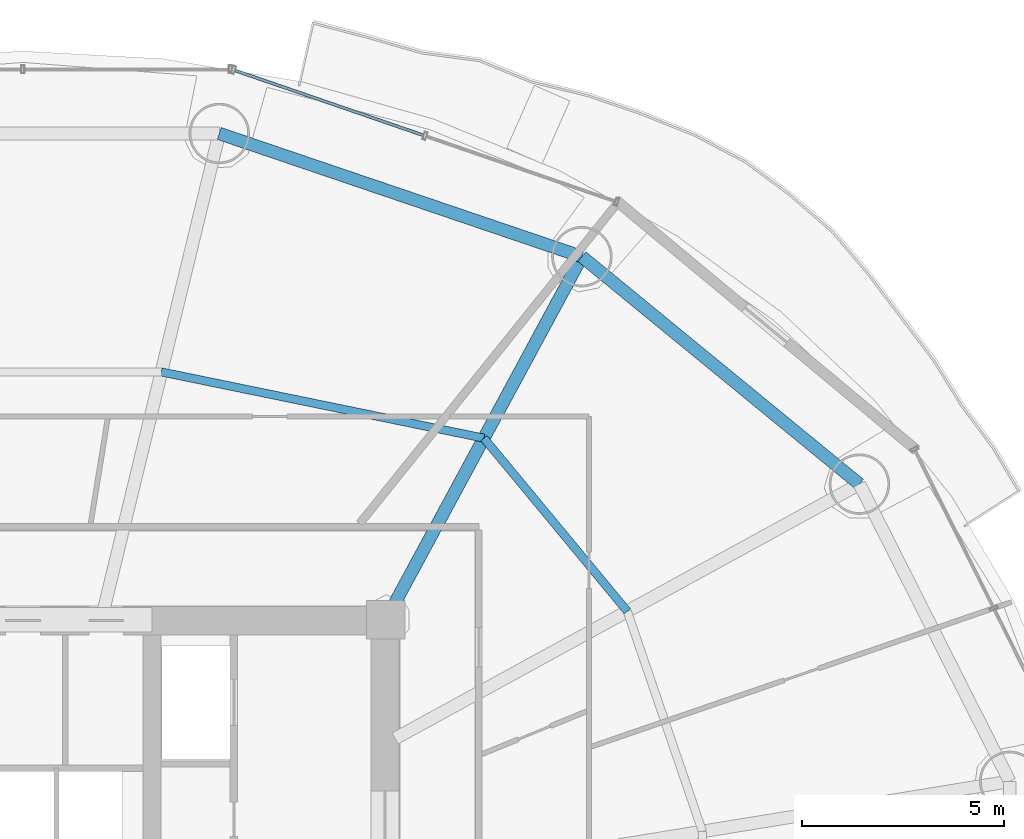
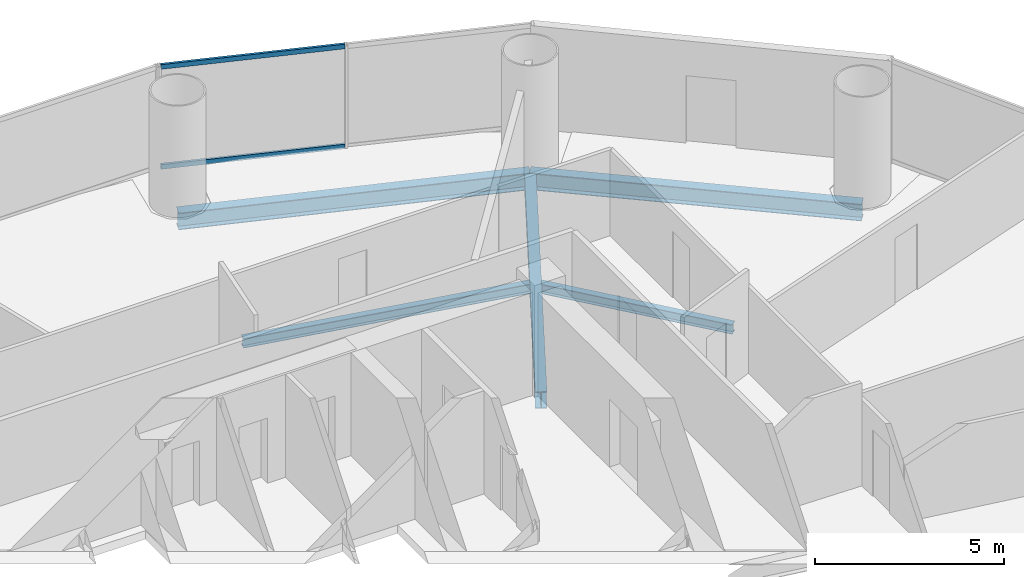
# One storey, part 19 of 29: 5 beams, 2 members, 1 element without a shape of its own.
"""IFC4 building model written with IfcOpenShell, lengths in metres."""

from ifc_helpers import new_model, si_unit, direction, frame, origin, origin_2d, place, context, subcontext, project, spatial, hollow_rectangle, i_section, extrude, source, transform, mapped, material, material_profile, profile_set, type_object, element, aggregate, save


model = new_model("IFC4")

# Units and contexts
model_context = context("Model", 3, precision=1e-05, world=origin(), true_north=direction((-0.2419218956, 0.970295726276)))
body_context = subcontext(model_context, "Body", "Model", "MODEL_VIEW")
ifc_project = project(units=[si_unit("LENGTHUNIT", "METRE"), si_unit("AREAUNIT", "SQUARE_METRE"), si_unit("VOLUMEUNIT", "CUBIC_METRE"), si_unit("PLANEANGLEUNIT", "RADIAN"), si_unit("MASSUNIT", "GRAM", prefix="KILO")], contexts=[model_context])

# Site, building, storey
site_placement = place(None, origin())
site = spatial("IfcSite", under=ifc_project, at=site_placement, CompositionType="ELEMENT")
building_placement = place(site_placement, origin())
building = spatial("IfcBuilding", under=site, at=building_placement, Name="Cobrevalo Terracotta Tower", CompositionType="ELEMENT")
storey_placement = place(building_placement, frame((0.0, 0.0, 112.199951171875)))
storey = spatial("IfcBuildingStorey", under=building, at=storey_placement, Name="L29", CompositionType="ELEMENT", Elevation=112.199951171875)

# Beams
ifc_material_1 = material(Name="Steel S355", Category="steel")
ifc_material_profile_1 = material_profile(ifc_material_1, i_section(OverallWidth=0.31201171875, OverallDepth=0.54296875, WebThickness=0.0126953125, FlangeThickness=0.020263671875, at=origin_2d()), Name="W 530x150")
ifc_profile_set_1 = profile_set([ifc_material_profile_1], Name="Steel S355")
beam_type_1 = type_object("IfcBeamType", Name="Structural Beam W 530x150 (Steel S355)", PredefinedType="BEAM", material=ifc_profile_set_1)
beam_1_placement = place(storey_placement, frame((51.861572265625, 43.803466796875, -0.54638671875), z_axis=(-0.475128224431, -0.879916570107, 0.0), x_axis=(0.879916570107, -0.475128224431, 0.0)))
element("IfcBeam", 1, at=beam_1_placement, inside=storey, type_object=beam_type_1, Name="L29 radial floor girder 03", PredefinedType="BEAM", context=body_context, shape_type="SweptSolid", body=[
    extrude(i_section(OverallWidth=0.31201171875, OverallDepth=0.54296875, WebThickness=0.0126953125, FlangeThickness=0.020263671875, at=origin_2d()), origin(), (0.0, 0.0, 1.0), 10.232177734375),
])
ifc_material_profile_2 = material_profile(ifc_material_1, i_section(OverallWidth=0.2041015625, OverallDepth=0.305908203125, WebThickness=0.008544921875, FlangeThickness=0.0146484375, at=origin_2d()), Name="W 310x67")
ifc_profile_set_2 = profile_set([ifc_material_profile_2], Name="Steel S355")
beam_type_2 = type_object("IfcBeamType", Name="Structural Joist W 310x67 (Steel S355)", PredefinedType="JOIST", material=ifc_profile_set_2)
beam_2_placement = place(storey_placement, frame((52.987548828125, 35.00830078125, -0.427978515625), z_axis=(-0.6379592588, 0.77007011636, 0.0), x_axis=(-0.77007011636, -0.6379592588, 0.0)))
element("IfcBeam", 2, at=beam_2_placement, inside=storey, type_object=beam_type_2, Name="L29 circumferential secondary floor joist 02", PredefinedType="JOIST", context=body_context, shape_type="SweptSolid", body=[
    extrude(i_section(OverallWidth=0.2041015625, OverallDepth=0.305908203125, WebThickness=0.008544921875, FlangeThickness=0.0146484375, at=origin_2d()), origin(), (0.0, 0.0, 1.0), 5.575439453125),
])
beam_3_placement = place(storey_placement, frame((49.4306640625, 39.3017578125, -0.427978515625), z_axis=(-0.979574469315, 0.201081722357, 0.0), x_axis=(-0.201081722357, -0.979574469315, 0.0)))
element("IfcBeam", 3, at=beam_3_placement, inside=storey, type_object=beam_type_2, Name="L29 circumferential secondary floor joist 03", PredefinedType="JOIST", context=body_context, shape_type="SweptSolid", body=[
    extrude(i_section(OverallWidth=0.2041015625, OverallDepth=0.305908203125, WebThickness=0.008544921875, FlangeThickness=0.0146484375, at=origin_2d()), origin(), (0.0, 0.0, 1.0), 8.1650390625),
])
ifc_material_profile_3 = material_profile(ifc_material_1, i_section(OverallWidth=0.31201171875, OverallDepth=0.54296875, WebThickness=0.0126953125, FlangeThickness=0.020263671875, at=origin_2d()), Name="W 530x150")
ifc_profile_set_3 = profile_set([ifc_material_profile_3], Name="Steel S355")
beam_type_3 = type_object("IfcBeamType", Name="Structural Spandrel W 530x150 (Steel S355)", PredefinedType="SPANDREL", material=ifc_profile_set_3)
beam_4_placement = place(storey_placement, frame((58.7451171875, 38.161376953125, -0.54638671875), z_axis=(-0.773400923541, 0.633917196064, 0.0), x_axis=(-0.633917196064, -0.773400923541, 0.0)))
element("IfcBeam", 4, at=beam_4_placement, inside=storey, type_object=beam_type_3, Name="L29 perimeter ring spandrel 02", PredefinedType="SPANDREL", context=body_context, shape_type="SweptSolid", body=[
    extrude(i_section(OverallWidth=0.31201171875, OverallDepth=0.54296875, WebThickness=0.0126953125, FlangeThickness=0.020263671875, at=origin_2d()), origin(), (0.0, 0.0, 1.0), 8.900390625),
])
beam_5_placement = place(storey_placement, frame((51.861572265625, 43.803466796875, -0.54638671875), z_axis=(-0.946910528816, 0.32149720126, 0.0), x_axis=(-0.32149720126, -0.946910528816, 0.0)))
element("IfcBeam", 5, at=beam_5_placement, inside=storey, type_object=beam_type_3, Name="L29 perimeter ring spandrel 03", PredefinedType="SPANDREL", context=body_context, shape_type="SweptSolid", body=[
    extrude(i_section(OverallWidth=0.31201171875, OverallDepth=0.54296875, WebThickness=0.0126953125, FlangeThickness=0.020263671875, at=origin_2d()), origin(), (0.0, 0.0, 1.0), 9.498291015625),
])

# Curtain wall, members
ifc_material_2 = material(Name="Anodized aluminium", Category="aluminium")
curtain_wall_type = type_object("IfcCurtainWallType", Name="Lower-tower unitised acoustic low-E curtain wall CW-U1", PredefinedType="NOTDEFINED", material=ifc_material_2)
curtain_wall_placement = place(storey_placement, origin())
curtain_wall = element("IfcCurtainWall", 6, at=curtain_wall_placement, inside=storey, type_object=curtain_wall_type, Name="L29 curtain wall CW-L29-S03", PredefinedType="NOTDEFINED")
ifc_material_profile_4 = material_profile(ifc_material_2, hollow_rectangle(XDim=0.074951171875, YDim=0.14990234375, WallThickness=0.00439453125, at=origin_2d()), Name="CWT 75x150")
ifc_profile_set_4 = profile_set([ifc_material_profile_4], Name="Anodized aluminium")
member_type = type_object("IfcMemberType", Name="Tower unitised aluminium transom 75x150", PredefinedType="USERDEFINED", material=ifc_profile_set_4)
shared_shape = source(origin(), body_context, "Body", "SweptSolid", [
    extrude(hollow_rectangle(XDim=0.074951171875, YDim=0.14990234375, WallThickness=0.00439453125, at=origin_2d()), origin(), (0.0, 0.0, 1.0), 4.944580078125),
])
member_1_placement = place(storey_placement, frame((47.934814453125, 46.811279296875, 0.050048828125), z_axis=(-0.945597859971, 0.32533780478, 0.0), x_axis=(-0.32533780478, -0.945597859971, 0.0)))
member_1 = element("IfcMember", 7, at=member_1_placement, type_object=member_type, Name="CW-L29-S03 transom B02-T1", ObjectType="TRANSOM", PredefinedType="USERDEFINED", context=body_context, shape_type="MappedRepresentation", body=[
    mapped(shared_shape, transform((0.0, 0.0, 0.0), scale=1.0)),
])
member_2_placement = place(storey_placement, frame((47.934814453125, 46.811279296875, 3.275146484375), z_axis=(-0.945597859971, 0.32533780478, 0.0), x_axis=(-0.32533780478, -0.945597859971, 0.0)))
member_2 = element("IfcMember", 8, at=member_2_placement, type_object=member_type, Name="CW-L29-S03 transom B02-T2", ObjectType="TRANSOM", PredefinedType="USERDEFINED", context=body_context, shape_type="MappedRepresentation", body=[
    mapped(shared_shape, transform((0.0, 0.0, 0.0), scale=1.0)),
])
aggregate(curtain_wall, [member_1, member_2])

save(model, "model.ifc")
